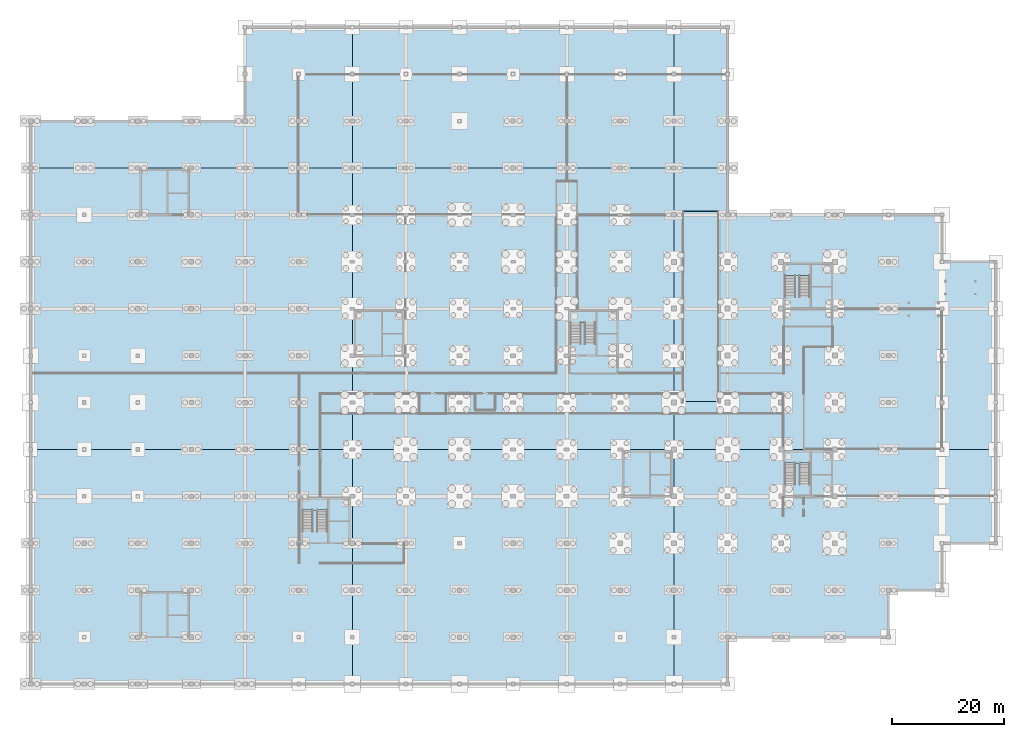
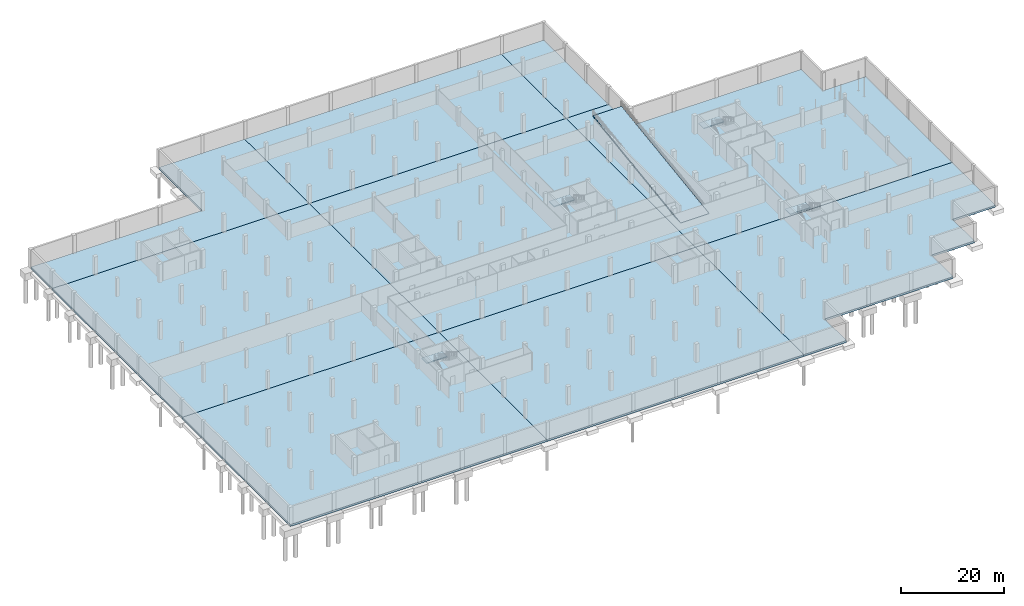
# One storey, part 15 of 26: 14 slabs, 4 elements without a shape of their own.
"""IFC4 building model written with IfcOpenShell, lengths in metres."""

import ifcopenshell
import ifcopenshell.guid

model = None  # the IFC model being written
_history = None  # IfcOwnerHistory: only IFC2X3 demands one
_inside = {}  # id of a spatial element -> (the spatial element, [elements in it])
_under = {}  # id of a project, library or spatial element -> (it, [spatial elements below it])
_declared = {}  # id of a project -> (the project, [libraries it declares])
_typed = {}  # id of a type object -> (the type object, [elements of that type])
_made_of = {}  # id of a material, layer set ... -> (it, [elements and type objects made of it])


def new_model(schema):
    """Start an empty IFC model of exactly this schema.

    Asked for "IFC4X3", IfcOpenShell would pick the latest addendum, in which some entities
    have other attributes; the version numbers below select the first issue.
    IFC2X3 requires an IfcOwnerHistory on every rooted entity: one is made here for all.
    """
    global model, _history
    if schema == "IFC4X3":
        model = ifcopenshell.file(schema_version=(4, 3, 0, 0))
    else:
        model = ifcopenshell.file(schema=schema)
    _inside.clear()
    _under.clear()
    _declared.clear()
    _typed.clear()
    _made_of.clear()
    _history = None
    if model.schema == "IFC2X3":
        org = make("IfcOrganization", Name="unknown")
        user = make(
            "IfcPersonAndOrganization",
            ThePerson=make("IfcPerson", FamilyName="unknown"),
            TheOrganization=org,
        )
        app = make(
            "IfcApplication",
            ApplicationDeveloper=org,
            Version="unknown",
            ApplicationFullName="unknown",
            ApplicationIdentifier="unknown",
        )
        _history = make(
            "IfcOwnerHistory",
            OwningUser=user,
            OwningApplication=app,
            ChangeAction="ADDED",
            CreationDate=0,
        )
    return model


def make(cls, **values):
    """One entity of the class cls with the attributes given. An attribute that is None is left unset."""
    return model.create_entity(
        cls, **{name: value for name, value in values.items() if value is not None}
    )


def rooted(cls, **values):
    """An entity with a GlobalId (a new one), such as an element, a storey or a relation."""
    return make(cls, GlobalId=ifcopenshell.guid.new(), OwnerHistory=_history, **values)


def si_unit(unit_type, name, prefix=None):
    """IfcSIUnit, for example si_unit("LENGTHUNIT", "METRE", prefix="MILLI")."""
    return make("IfcSIUnit", UnitType=unit_type, Prefix=prefix, Name=name)


def assignment(units):
    """IfcUnitAssignment: the units of a project."""
    return None if units is None else make("IfcUnitAssignment", Units=units)


def point(xyz):
    """IfcCartesianPoint."""
    return None if xyz is None else make("IfcCartesianPoint", Coordinates=xyz)


def direction(xyz):
    """IfcDirection."""
    return None if xyz is None else make("IfcDirection", DirectionRatios=xyz)


def frame(location, z_axis=None, x_axis=None):
    """IfcAxis2Placement3D, a coordinate frame: its origin and axes. An axis left out is left unset."""
    return make(
        "IfcAxis2Placement3D",
        Location=point(location),
        Axis=direction(z_axis),
        RefDirection=direction(x_axis),
    )


def origin():
    """The frame at (0, 0, 0) with its axes left unset."""
    return frame((0.0, 0.0, 0.0))


def place(relative_to, where):
    """IfcLocalPlacement: puts the frame where relative to a parent placement (None: the world)."""
    return make(
        "IfcLocalPlacement", PlacementRelTo=relative_to, RelativePlacement=where
    )


def context(
    kind, dimensions, precision=None, world=None, true_north=None, identifier=None
):
    """IfcGeometricRepresentationContext, for example the 3D "Model" context."""
    return make(
        "IfcGeometricRepresentationContext",
        ContextIdentifier=identifier,
        ContextType=kind,
        CoordinateSpaceDimension=dimensions,
        Precision=precision,
        WorldCoordinateSystem=world,
        TrueNorth=true_north,
    )


def subcontext(parent, identifier, kind, view, scale=None):
    """IfcGeometricRepresentationSubContext, for example "Body" below "Model"."""
    return make(
        "IfcGeometricRepresentationSubContext",
        ContextIdentifier=identifier,
        ContextType=kind,
        ParentContext=parent,
        TargetScale=scale,
        TargetView=view,
    )


def project(units=None, contexts=None):
    """IfcProject with its units and contexts."""
    return rooted(
        "IfcProject",
        Name="project",
        RepresentationContexts=contexts,
        UnitsInContext=assignment(units),
    )


def spatial(cls, under=None, at=None, **own):
    """A site, building, storey or space (cls), placed at a placement, below another one or the project."""
    s = rooted(cls, ObjectPlacement=at, **own)
    if under is not None:
        _under.setdefault(under.id(), (under, []))[1].append(s)
    return s


def polyline(points):
    """IfcPolyline through the points."""
    return make("IfcPolyline", Points=[point(p) for p in points])


def outline(outer, holes=None, kind="AREA"):
    """IfcArbitraryClosedProfileDef: a profile drawn as a closed curve; with holes, ...WithVoids."""
    if holes is None:
        return make("IfcArbitraryClosedProfileDef", ProfileType=kind, OuterCurve=outer)
    return make(
        "IfcArbitraryProfileDefWithVoids",
        ProfileType=kind,
        OuterCurve=outer,
        InnerCurves=holes,
    )


def extrude(swept, where, along, depth):
    """IfcExtrudedAreaSolid: the profile swept, set in the frame where, extruded along a direction by depth."""
    return make(
        "IfcExtrudedAreaSolid",
        SweptArea=swept,
        Position=where,
        ExtrudedDirection=direction(along),
        Depth=depth,
    )


def shape(context_of_items, identifier, shape_type, items):
    """IfcShapeRepresentation: the items that make up one representation, for example the "Body"."""
    return make(
        "IfcShapeRepresentation",
        ContextOfItems=context_of_items,
        RepresentationIdentifier=identifier,
        RepresentationType=shape_type,
        Items=items,
    )


def material(Name=None, Category=None):
    """IfcMaterial."""
    return make("IfcMaterial", Name=Name, Category=Category)


def layer(
    of_material, thickness, ventilated=None, Name=None, Category=None, Priority=None
):
    """IfcMaterialLayer: one layer of a wall or slab, of a material (None: an air gap)."""
    return make(
        "IfcMaterialLayer",
        Material=of_material,
        LayerThickness=thickness,
        IsVentilated=ventilated,
        Name=Name,
        Category=Category,
        Priority=Priority,
    )


def layer_set(layers, Name=None):
    """IfcMaterialLayerSet."""
    return make("IfcMaterialLayerSet", MaterialLayers=layers, LayerSetName=Name)


def made_of(thing, what):
    """Note that an element or type object is made of a material, layer set ...; save() writes the relation."""
    if what is not None:
        _made_of.setdefault(what.id(), (what, []))[1].append(thing)
    return thing


def type_object(cls, material=None, **own):
    """A type object (cls), such as IfcWallType, which elements share."""
    return made_of(rooted(cls, **own), material)


def element(
    cls,
    number,
    at=None,
    inside=None,
    cuts=None,
    type_object=None,
    material=None,
    context=None,
    identifier="Body",
    shape_type=None,
    held_by="IfcProductDefinitionShape",
    body=None,
    shapes=None,
    **own,
):
    """One element of the class cls, such as IfcWall. Its Tag is "e" and its number.

    at: its placement. inside: the storey or other place that contains it. cuts: it is an
    opening in that element (IfcRelVoidsElement). A single representation is given by context,
    identifier, shape_type and body (its items); several are given by shapes. held_by: the class
    of the entity that holds the representations. save() writes the other relations.
    """
    e = rooted(cls, Tag="e%d" % number, ObjectPlacement=at, **own)
    if body is not None:
        shapes = [shape(context, identifier, shape_type, body)]
    if shapes is not None:
        e.Representation = make(held_by, Representations=shapes)
    if inside is not None:
        _inside.setdefault(inside.id(), (inside, []))[1].append(e)
    if cuts is not None:
        rooted(
            "IfcRelVoidsElement", RelatingBuildingElement=cuts, RelatedOpeningElement=e
        )
    if type_object is not None:
        _typed.setdefault(type_object.id(), (type_object, []))[1].append(e)
    return made_of(e, material)


def aggregate(whole, parts):
    """IfcRelAggregates: a whole, such as a stair, and the parts it consists of."""
    return rooted("IfcRelAggregates", RelatingObject=whole, RelatedObjects=parts)


def save(model, path):
    """Write the relations noted so far, then the file.

    IfcRelAggregates (storeys below a building ...), IfcRelContainedInSpatialStructure (elements
    in a storey), IfcRelDefinesByType, IfcRelAssociatesMaterial and IfcRelDeclares: one each for
    every whole, place, type object, material and project.
    """
    for whole, parts in _under.values():
        aggregate(whole, parts)
    for where, things in _inside.values():
        rooted(
            "IfcRelContainedInSpatialStructure",
            RelatedElements=things,
            RelatingStructure=where,
        )
    for kind, things in _typed.values():
        rooted("IfcRelDefinesByType", RelatedObjects=things, RelatingType=kind)
    for what, things in _made_of.values():
        rooted("IfcRelAssociatesMaterial", RelatedObjects=things, RelatingMaterial=what)
    for by, libraries in _declared.values():
        rooted("IfcRelDeclares", RelatingContext=by, RelatedDefinitions=libraries)
    model.write(path)


model = new_model("IFC4")

# Units and contexts
model_context = context("Model", 3, precision=1e-05, world=origin(), true_north=direction((0.0, 1.0)))
body_context = subcontext(model_context, "Body", "Model", "MODEL_VIEW")
ifc_project = project(units=[si_unit("LENGTHUNIT", "METRE"), si_unit("AREAUNIT", "SQUARE_METRE"), si_unit("VOLUMEUNIT", "CUBIC_METRE"), si_unit("PLANEANGLEUNIT", "RADIAN"), si_unit("MASSUNIT", "GRAM", prefix="KILO")], contexts=[model_context])

# Site, building, storey
site_placement = place(None, origin())
site = spatial("IfcSite", under=ifc_project, at=site_placement, CompositionType="ELEMENT")
building_placement = place(site_placement, origin())
building = spatial("IfcBuilding", under=site, at=building_placement, Name="Lornevale Opera House", CompositionType="ELEMENT")
storey_placement = place(building_placement, frame((0.0, 0.0, -9.60009765625)))
storey = spatial("IfcBuildingStorey", under=building, at=storey_placement, Name="B2", CompositionType="ELEMENT", Elevation=-9.60009765625)

# Slabs
ifc_material_1 = material(Name="Concrete 40 MPa (CSA A23.1 C-1)", Category="concrete")
ifc_layer_1 = layer(ifc_material_1, 0.4599609375)
ifc_layer_set_1 = layer_set([ifc_layer_1], Name="Concrete 40 MPa (CSA A23.1 C-1)")
slab_type_1 = type_object("IfcSlabType", Name="Hydrostatic Mat Slab 460", PredefinedType="BASESLAB", material=ifc_layer_set_1)
slab_1_placement = place(storey_placement, frame((0.0, 0.0, -0.4599609375)))
element("IfcSlab", 1, at=slab_1_placement, inside=storey, type_object=slab_type_1, Name="Hydrostatic Mat Slab 460 SL-001", PredefinedType="BASESLAB", context=body_context, shape_type="SweptSolid", body=[
    extrude(outline(polyline([(0.0, 25.199951171875), (0.0, 33.60009765625), (0.0, 42.0), (9.60009765625, 42.0), (19.199951171875, 42.0), (28.800048828125, 42.0), (38.39990234375, 42.0), (48.0, 42.0), (57.60009765625, 42.0), (57.60009765625, 33.60009765625), (57.60009765625, 25.199951171875), (57.60009765625, 16.800048828125), (57.60009765625, 8.39990234375), (57.60009765625, 0.0), (48.0, 0.0), (38.39990234375, 0.0), (28.800048828125, 0.0), (19.199951171875, 0.0), (9.60009765625, 0.0), (0.0, 0.0), (0.0, 8.39990234375), (0.0, 16.800048828125), (0.0, 25.199951171875)])), origin(), (0.0, 0.0, 1.0), 0.4599609375),
])
slab_2_placement = place(storey_placement, frame((0.0, 0.0, -0.4599609375)))
element("IfcSlab", 2, at=slab_2_placement, inside=storey, type_object=slab_type_1, Name="Hydrostatic Mat Slab 460 SL-002", PredefinedType="BASESLAB", context=body_context, shape_type="SweptSolid", body=[
    extrude(outline(polyline([(57.60009765625, 25.199951171875), (57.60009765625, 33.60009765625), (57.60009765625, 42.0), (67.199951171875, 42.0), (76.800048828125, 42.0), (86.39990234375, 42.0), (96.0, 42.0), (105.60009765625, 42.0), (115.199951171875, 42.0), (115.199951171875, 33.60009765625), (115.199951171875, 25.199951171875), (115.199951171875, 16.800048828125), (115.199951171875, 8.39990234375), (115.199951171875, 0.0), (105.60009765625, 0.0), (96.0, 0.0), (86.39990234375, 0.0), (76.800048828125, 0.0), (67.199951171875, 0.0), (57.60009765625, 0.0), (57.60009765625, 8.39990234375), (57.60009765625, 16.800048828125), (57.60009765625, 25.199951171875)])), origin(), (0.0, 0.0, 1.0), 0.4599609375),
])
slab_3_placement = place(storey_placement, frame((0.0, 0.0, -0.4599609375)))
element("IfcSlab", 3, at=slab_3_placement, inside=storey, type_object=slab_type_1, Name="Hydrostatic Mat Slab 460 SL-003", PredefinedType="BASESLAB", context=body_context, shape_type="SweptSolid", body=[
    extrude(outline(polyline([(115.199951171875, 16.800048828125), (115.199951171875, 25.199951171875), (115.199951171875, 33.60009765625), (115.199951171875, 42.0), (124.800048828125, 42.0), (134.39990234375, 42.0), (144.0, 42.0), (153.60009765625, 42.0), (163.199951171875, 42.0), (172.800048828125, 42.0), (172.800048828125, 33.60009765625), (172.800048828125, 25.199951171875), (163.199951171875, 25.199951171875), (163.199951171875, 16.800048828125), (153.60009765625, 16.800048828125), (153.60009765625, 8.39990234375), (144.0, 8.39990234375), (134.39990234375, 8.39990234375), (124.800048828125, 8.39990234375), (124.800048828125, 0.0), (115.199951171875, 0.0), (115.199951171875, 8.39990234375), (115.199951171875, 16.800048828125)])), origin(), (0.0, 0.0, 1.0), 0.4599609375),
])
slab_4_placement = place(storey_placement, frame((0.0, 0.0, -0.4599609375)))
element("IfcSlab", 4, at=slab_4_placement, inside=storey, type_object=slab_type_1, Name="Hydrostatic Mat Slab 460 SL-004", PredefinedType="BASESLAB", context=body_context, shape_type="SweptSolid", body=[
    extrude(outline(polyline([(9.60009765625, 42.0), (0.0, 42.0), (0.0, 50.39990234375), (0.0, 58.800048828125), (0.0, 67.199951171875), (0.0, 75.60009765625), (0.0, 84.0), (0.0, 92.39990234375), (9.60009765625, 92.39990234375), (19.199951171875, 92.39990234375), (28.800048828125, 92.39990234375), (38.39990234375, 92.39990234375), (48.0, 92.39990234375), (57.60009765625, 92.39990234375), (57.60009765625, 84.0), (57.60009765625, 75.60009765625), (57.60009765625, 67.199951171875), (57.60009765625, 58.800048828125), (57.60009765625, 50.39990234375), (57.60009765625, 42.0), (48.0, 42.0), (38.39990234375, 42.0), (28.800048828125, 42.0), (19.199951171875, 42.0), (9.60009765625, 42.0)])), origin(), (0.0, 0.0, 1.0), 0.4599609375),
])
slab_5_placement = place(storey_placement, frame((0.0, 0.0, -0.4599609375)))
element("IfcSlab", 5, at=slab_5_placement, inside=storey, type_object=slab_type_1, Name="Hydrostatic Mat Slab 460 SL-005", PredefinedType="BASESLAB", context=body_context, shape_type="SweptSolid", body=[
    extrude(outline(polyline([(67.199951171875, 42.0), (57.60009765625, 42.0), (57.60009765625, 50.39990234375), (57.60009765625, 58.800048828125), (57.60009765625, 67.199951171875), (57.60009765625, 75.60009765625), (57.60009765625, 84.0), (57.60009765625, 92.39990234375), (67.199951171875, 92.39990234375), (76.800048828125, 92.39990234375), (86.39990234375, 92.39990234375), (96.0, 92.39990234375), (105.60009765625, 92.39990234375), (115.199951171875, 92.39990234375), (115.199951171875, 84.0), (115.199951171875, 75.60009765625), (115.199951171875, 67.199951171875), (115.199951171875, 58.800048828125), (115.199951171875, 50.39990234375), (115.199951171875, 42.0), (105.60009765625, 42.0), (96.0, 42.0), (86.39990234375, 42.0), (76.800048828125, 42.0), (67.199951171875, 42.0)])), origin(), (0.0, 0.0, 1.0), 0.4599609375),
])
slab_6_placement = place(storey_placement, frame((0.0, 0.0, -0.4599609375)))
element("IfcSlab", 6, at=slab_6_placement, inside=storey, type_object=slab_type_1, Name="Hydrostatic Mat Slab 460 SL-006", PredefinedType="BASESLAB", context=body_context, shape_type="SweptSolid", body=[
    extrude(outline(polyline([(115.199951171875, 67.199951171875), (115.199951171875, 75.60009765625), (115.199951171875, 84.0), (115.199951171875, 92.39990234375), (124.800048828125, 92.39990234375), (124.800048828125, 84.0), (134.39990234375, 84.0), (144.0, 84.0), (153.60009765625, 84.0), (163.199951171875, 84.0), (163.199951171875, 75.60009765625), (172.800048828125, 75.60009765625), (172.800048828125, 67.199951171875), (172.800048828125, 58.800048828125), (172.800048828125, 50.39990234375), (172.800048828125, 42.0), (163.199951171875, 42.0), (153.60009765625, 42.0), (144.0, 42.0), (134.39990234375, 42.0), (124.800048828125, 42.0), (115.199951171875, 42.0), (115.199951171875, 50.39990234375), (115.199951171875, 58.800048828125), (115.199951171875, 67.199951171875)])), origin(), (0.0, 0.0, 1.0), 0.4599609375),
])
slab_7_placement = place(storey_placement, frame((0.0, 0.0, -0.4599609375)))
element("IfcSlab", 7, at=slab_7_placement, inside=storey, type_object=slab_type_1, Name="Hydrostatic Mat Slab 460 SL-007", PredefinedType="BASESLAB", context=body_context, shape_type="SweptSolid", body=[
    extrude(outline(polyline([(9.60009765625, 100.800048828125), (19.199951171875, 100.800048828125), (28.800048828125, 100.800048828125), (38.39990234375, 100.800048828125), (38.39990234375, 109.199951171875), (38.39990234375, 117.60009765625), (48.0, 117.60009765625), (57.60009765625, 117.60009765625), (57.60009765625, 109.199951171875), (57.60009765625, 100.800048828125), (57.60009765625, 92.39990234375), (48.0, 92.39990234375), (38.39990234375, 92.39990234375), (28.800048828125, 92.39990234375), (19.199951171875, 92.39990234375), (9.60009765625, 92.39990234375), (0.0, 92.39990234375), (0.0, 100.800048828125), (9.60009765625, 100.800048828125)])), origin(), (0.0, 0.0, 1.0), 0.4599609375),
])
slab_8_placement = place(storey_placement, frame((0.0, 0.0, -0.4599609375)))
element("IfcSlab", 8, at=slab_8_placement, inside=storey, type_object=slab_type_1, Name="Hydrostatic Mat Slab 460 SL-008", PredefinedType="BASESLAB", context=body_context, shape_type="SweptSolid", body=[
    extrude(outline(polyline([(57.60009765625, 117.60009765625), (67.199951171875, 117.60009765625), (76.800048828125, 117.60009765625), (86.39990234375, 117.60009765625), (96.0, 117.60009765625), (105.60009765625, 117.60009765625), (115.199951171875, 117.60009765625), (115.199951171875, 109.199951171875), (115.199951171875, 100.800048828125), (115.199951171875, 92.39990234375), (105.60009765625, 92.39990234375), (96.0, 92.39990234375), (86.39990234375, 92.39990234375), (76.800048828125, 92.39990234375), (67.199951171875, 92.39990234375), (57.60009765625, 92.39990234375), (57.60009765625, 100.800048828125), (57.60009765625, 109.199951171875), (57.60009765625, 117.60009765625)])), origin(), (0.0, 0.0, 1.0), 0.4599609375),
])
slab_9_placement = place(storey_placement, frame((0.0, 0.0, -0.4599609375)))
element("IfcSlab", 9, at=slab_9_placement, inside=storey, type_object=slab_type_1, Name="Hydrostatic Mat Slab 460 SL-009", PredefinedType="BASESLAB", context=body_context, shape_type="SweptSolid", body=[
    extrude(outline(polyline([(124.800048828125, 92.39990234375), (115.199951171875, 92.39990234375), (115.199951171875, 100.800048828125), (115.199951171875, 109.199951171875), (115.199951171875, 117.60009765625), (124.800048828125, 117.60009765625), (124.800048828125, 109.199951171875), (124.800048828125, 100.800048828125), (124.800048828125, 92.39990234375)])), origin(), (0.0, 0.0, 1.0), 0.4599609375),
])

# Stair, slab
ifc_material_2 = material(Name="Concrete 35 MPa (CSA A23.1 N)", Category="concrete")
ifc_layer_2 = layer(ifc_material_2, 4.800048828125)
ifc_layer_set_2 = layer_set([ifc_layer_2], Name="Concrete 35 MPa (CSA A23.1 N)")
stair_type_1 = type_object("IfcStairType", Name="Protected Exit Stair 4800-W1840", PredefinedType="TWO_STRAIGHT_RUN_STAIR", material=ifc_layer_set_2)
stair_1_placement = place(storey_placement, origin())
stair_1 = element("IfcStair", 10, at=stair_1_placement, inside=storey, type_object=stair_type_1, Name="South-West Foyer Core Stair ST-01 (B2-B1)", PredefinedType="TWO_STRAIGHT_RUN_STAIR")
ifc_layer_3 = layer(ifc_material_2, 0.219970703125)
ifc_layer_set_3 = layer_set([ifc_layer_3], Name="Concrete 35 MPa (CSA A23.1 N)")
slab_type_2 = type_object("IfcSlabType", Name="Stair Half-Landing Slab 220", PredefinedType="LANDING", material=ifc_layer_set_3)
slab_10_placement = place(storey_placement, frame((0.0, 0.0, 2.18017578125)))
slab_10 = element("IfcSlab", 11, at=slab_10_placement, type_object=slab_type_2, Name="ST-01 Half-Landing SL-LND-001", PredefinedType="LANDING", context=body_context, shape_type="SweptSolid", body=[
    extrude(outline(polyline([(48.60009765625, 31.159912109375), (53.199951171875, 31.159912109375), (53.199951171875, 33.179931640625), (48.60009765625, 33.179931640625), (48.60009765625, 31.159912109375)])), origin(), (0.0, 0.0, 1.0), 0.219970703125),
])
aggregate(stair_1, [slab_10])

ifc_layer_4 = layer(ifc_material_2, 4.800048828125)
ifc_layer_set_4 = layer_set([ifc_layer_4], Name="Concrete 35 MPa (CSA A23.1 N)")
stair_type_2 = type_object("IfcStairType", Name="Firefighter Core Stair 4800-W1880", PredefinedType="TWO_STRAIGHT_RUN_STAIR", material=ifc_layer_set_4)
stair_2_placement = place(storey_placement, origin())
stair_2 = element("IfcStair", 12, at=stair_2_placement, inside=storey, type_object=stair_type_2, Name="Stagehouse Firefighter Core West Stair ST-20 (B2-B1)", PredefinedType="TWO_STRAIGHT_RUN_STAIR")
slab_11_placement = place(storey_placement, frame((0.0, 0.0, 2.18017578125)))
slab_11 = element("IfcSlab", 13, at=slab_11_placement, type_object=slab_type_2, Name="ST-20 Half-Landing SL-LND-020", PredefinedType="LANDING", context=body_context, shape_type="SweptSolid", body=[
    extrude(outline(polyline([(96.60009765625, 64.760009765625), (101.199951171875, 64.760009765625), (101.199951171875, 66.780029296875), (96.60009765625, 66.780029296875), (96.60009765625, 64.760009765625)])), origin(), (0.0, 0.0, 1.0), 0.219970703125),
])
aggregate(stair_2, [slab_11])

stair_3_placement = place(storey_placement, origin())
stair_3 = element("IfcStair", 14, at=stair_3_placement, inside=storey, type_object=stair_type_2, Name="Backstage Firefighter Core East Stair ST-28 (B2-B1)", PredefinedType="TWO_STRAIGHT_RUN_STAIR")
slab_12_placement = place(storey_placement, frame((0.0, 0.0, 2.18017578125)))
slab_12 = element("IfcSlab", 15, at=slab_12_placement, type_object=slab_type_2, Name="ST-28 Half-Landing SL-LND-028", PredefinedType="LANDING", context=body_context, shape_type="SweptSolid", body=[
    extrude(outline(polyline([(135.0, 73.159912109375), (139.60009765625, 73.159912109375), (139.60009765625, 75.179931640625), (135.0, 75.179931640625), (135.0, 73.159912109375)])), origin(), (0.0, 0.0, 1.0), 0.219970703125),
])
aggregate(stair_3, [slab_12])

stair_4_placement = place(storey_placement, origin())
stair_4 = element("IfcStair", 16, at=stair_4_placement, inside=storey, type_object=stair_type_1, Name="Backstage Service Lift Core Stair ST-35 (B2-B1)", PredefinedType="TWO_STRAIGHT_RUN_STAIR")
slab_13_placement = place(storey_placement, frame((0.0, 0.0, 2.18017578125)))
slab_13 = element("IfcSlab", 17, at=slab_13_placement, type_object=slab_type_2, Name="ST-35 Half-Landing SL-LND-035", PredefinedType="LANDING", context=body_context, shape_type="SweptSolid", body=[
    extrude(outline(polyline([(135.0, 39.56005859375), (139.60009765625, 39.56005859375), (139.60009765625, 41.580078125), (135.0, 41.580078125), (135.0, 39.56005859375)])), origin(), (0.0, 0.0, 1.0), 0.219970703125),
])
aggregate(stair_4, [slab_13])

# Slab
ifc_layer_5 = layer(ifc_material_1, 0.300048828125)
ifc_layer_set_5 = layer_set([ifc_layer_5], Name="Concrete 40 MPa (CSA A23.1 C-1)")
slab_type_3 = type_object("IfcSlabType", Name="Vehicular Ramp Slab 300", PredefinedType="FLOOR", material=ifc_layer_set_5)
slab_14_placement = place(storey_placement, frame((123.199951171875, 50.580078125, 0.0), z_axis=(0.0, -0.139630451861, 0.990203684558), x_axis=(-1.0, 0.0, 0.0)))
element("IfcSlab", 18, at=slab_14_placement, inside=storey, type_object=slab_type_3, Name="Vehicle Parking Ramp B2 to B1 Slab", PredefinedType="FLOOR", context=body_context, shape_type="SweptSolid", body=[
    extrude(outline(polyline([(0.0, 0.0), (6.39990234375, 0.0), (6.39990234375, -34.376805089026384), (0.0, -34.376805089026384), (0.0, 0.0)])), origin(), (0.0, 0.0, -1.0), 0.300048828125),
])

save(model, "model.ifc")
